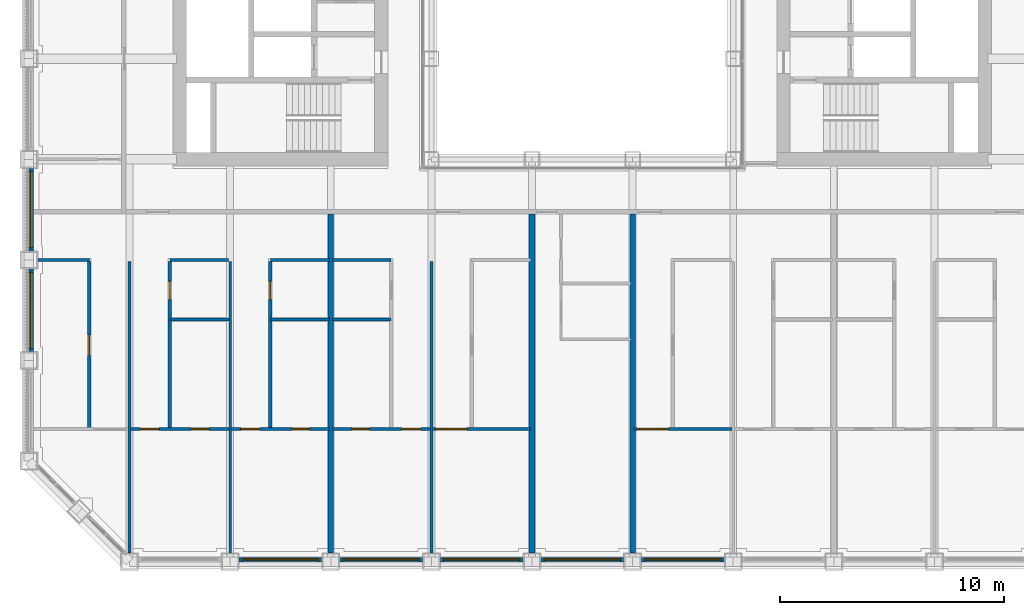
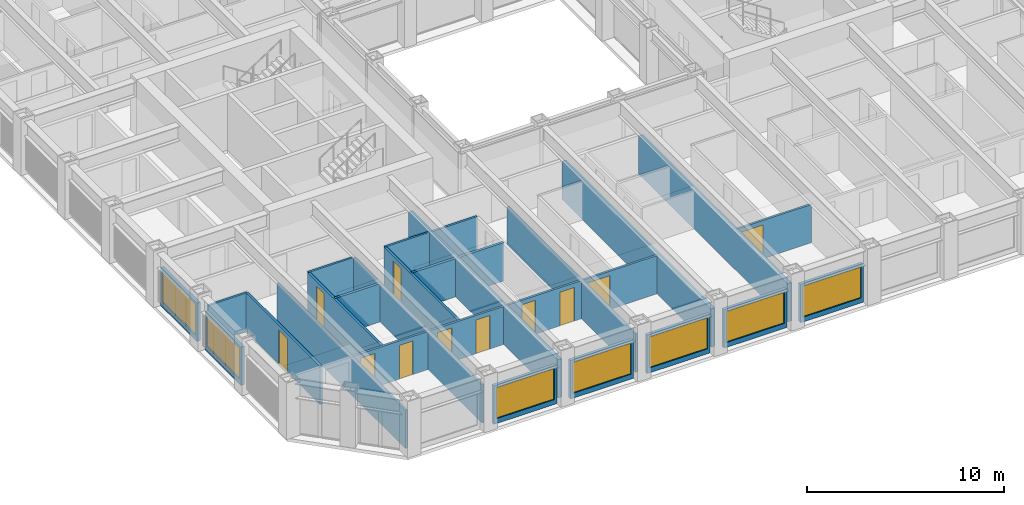
# One storey, part 9 of 21: 28 walls, 11 doors, 7 windows, 18 openings.
"""IFC4 building model written with IfcOpenShell, lengths in metres."""

from ifc_helpers import new_model, si_unit, direction, frame, frame_2d, origin, place, context, subcontext, project, spatial, rectangle, extrude, material, layer, layer_set, type_object, element, fill, save


model = new_model("IFC4")

# Units and contexts
model_context = context("Model", 3, precision=1e-05, world=origin(), true_north=direction((0.0, 1.0)))
body_context = subcontext(model_context, "Body", "Model", "MODEL_VIEW")
ifc_project = project(units=[si_unit("LENGTHUNIT", "METRE"), si_unit("AREAUNIT", "SQUARE_METRE"), si_unit("VOLUMEUNIT", "CUBIC_METRE"), si_unit("PLANEANGLEUNIT", "RADIAN"), si_unit("MASSUNIT", "GRAM", prefix="KILO")], contexts=[model_context])

# Site, building, storey
site_placement = place(None, origin())
site = spatial("IfcSite", under=ifc_project, at=site_placement, CompositionType="ELEMENT")
building_placement = place(site_placement, origin())
building = spatial("IfcBuilding", under=site, at=building_placement, Name="Msasa Ring Tower", CompositionType="ELEMENT")
storey_placement = place(building_placement, frame((0.0, 0.0, 72.0)))
storey = spatial("IfcBuildingStorey", under=building, at=storey_placement, Name="L18", CompositionType="ELEMENT", Elevation=72.0)

# Wall, opening, window
ifc_material_1 = material(Name="Terracotta rainscreen on blockwork", Category="masonry")
ifc_layer_1 = layer(ifc_material_1, 0.199951171875)
ifc_layer_set_1 = layer_set([ifc_layer_1], Name="FW1 TERRACOTTA-LINED INFILL BAY WALL 200")
wall_type_1 = type_object("IfcWallType", Name="FW1 TERRACOTTA-LINED INFILL BAY WALL 200", PredefinedType="SOLIDWALL", material=ifc_layer_set_1)
wall_1_placement = place(storey_placement, frame((-15.344970703125, -24.64990234375, 0.0), z_axis=(0.0, 0.0, 1.0), x_axis=(1.0, 0.0, 0.0)))
wall_1 = element("IfcWall", 1, at=wall_1_placement, inside=storey, type_object=wall_type_1, Name="Infill bay wall S L18 01", PredefinedType="SOLIDWALL", context=body_context, shape_type="SweptSolid", body=[
    extrude(rectangle(XDim=3.68994140625, YDim=0.199951171875, at=frame_2d((1.844970703125, 0.0))), origin(), (0.0, 0.0, 1.0), 2.37890625),
])
opening_1_placement = place(wall_1_placement, frame((0.14501953125, 0.0, 0.300048828125)))
opening_1 = element("IfcOpeningElement", 2, at=opening_1_placement, cuts=wall_1, Name="Opening WN1", PredefinedType="OPENING", context=body_context, shape_type="SweptSolid", body=[
    extrude(rectangle(XDim=3.39990234375, YDim=1.928955078125, at=frame_2d((1.699951171875, 0.96435546875))), frame((0.0, 0.10986328125, 0.0), z_axis=(0.0, -1.0, 0.0), x_axis=(1.0, 0.0, 0.0)), (0.0, 0.0, 1.0), 0.219970703125),
])
ifc_material_2 = material(Name="Aluminium frame with clear glass", Category="aluminium")
window_type = type_object("IfcWindowType", Name="WN1 RESIDENCE WINDOW 3400x1929", PartitioningType="SINGLE_PANEL", PredefinedType="WINDOW", material=ifc_material_2)
window_1_placement = place(opening_1_placement, origin())
window_1 = element("IfcWindow", 3, at=window_1_placement, inside=storey, type_object=window_type, Name="Window S L18 01", OverallHeight=1.928955078125, OverallWidth=3.39990234375, PartitioningType="SINGLE_PANEL", PredefinedType="WINDOW", context=body_context, shape_type="SweptSolid", body=[
    extrude(rectangle(XDim=3.39990234375, YDim=1.928955078125, at=frame_2d((1.699951171875, 0.96435546875))), frame((0.0, 0.030029296875, 0.0), z_axis=(0.0, -1.0, 0.0), x_axis=(1.0, 0.0, 0.0)), (0.0, 0.0, 1.0), 0.06005859375),
])
fill(opening_1, window_1)

wall_2_placement = place(storey_placement, frame((-10.844970703125, -24.64990234375, 0.0), z_axis=(0.0, 0.0, 1.0), x_axis=(1.0, 0.0, 0.0)))
wall_2 = element("IfcWall", 4, at=wall_2_placement, inside=storey, type_object=wall_type_1, Name="Infill bay wall S L18 02", PredefinedType="SOLIDWALL", context=body_context, shape_type="SweptSolid", body=[
    extrude(rectangle(XDim=3.68994140625, YDim=0.199951171875, at=frame_2d((1.844970703125, 0.0))), origin(), (0.0, 0.0, 1.0), 2.37890625),
])
opening_2_placement = place(wall_2_placement, frame((0.14501953125, 0.0, 0.300048828125)))
opening_2 = element("IfcOpeningElement", 5, at=opening_2_placement, cuts=wall_2, Name="Opening WN1", PredefinedType="OPENING", context=body_context, shape_type="SweptSolid", body=[
    extrude(rectangle(XDim=3.39990234375, YDim=1.928955078125, at=frame_2d((1.699951171875, 0.96435546875))), frame((0.0, 0.10986328125, 0.0), z_axis=(0.0, -1.0, 0.0), x_axis=(1.0, 0.0, 0.0)), (0.0, 0.0, 1.0), 0.219970703125),
])
window_2_placement = place(opening_2_placement, origin())
window_2 = element("IfcWindow", 6, at=window_2_placement, inside=storey, type_object=window_type, Name="Window S L18 02", OverallHeight=1.928955078125, OverallWidth=3.39990234375, PartitioningType="SINGLE_PANEL", PredefinedType="WINDOW", context=body_context, shape_type="SweptSolid", body=[
    extrude(rectangle(XDim=3.39990234375, YDim=1.928955078125, at=frame_2d((1.699951171875, 0.96435546875))), frame((0.0, 0.030029296875, 0.0), z_axis=(0.0, -1.0, 0.0), x_axis=(1.0, 0.0, 0.0)), (0.0, 0.0, 1.0), 0.06005859375),
])
fill(opening_2, window_2)

wall_3_placement = place(storey_placement, frame((-6.344970703125, -24.64990234375, 0.0), z_axis=(0.0, 0.0, 1.0), x_axis=(1.0, 0.0, 0.0)))
wall_3 = element("IfcWall", 7, at=wall_3_placement, inside=storey, type_object=wall_type_1, Name="Infill bay wall S L18 03", PredefinedType="SOLIDWALL", context=body_context, shape_type="SweptSolid", body=[
    extrude(rectangle(XDim=3.68994140625, YDim=0.199951171875, at=frame_2d((1.844970703125, 0.0))), origin(), (0.0, 0.0, 1.0), 2.37890625),
])
opening_3_placement = place(wall_3_placement, frame((0.14501953125, 0.0, 0.300048828125)))
opening_3 = element("IfcOpeningElement", 8, at=opening_3_placement, cuts=wall_3, Name="Opening WN1", PredefinedType="OPENING", context=body_context, shape_type="SweptSolid", body=[
    extrude(rectangle(XDim=3.39990234375, YDim=1.928955078125, at=frame_2d((1.699951171875, 0.96435546875))), frame((0.0, 0.10986328125, 0.0), z_axis=(0.0, -1.0, 0.0), x_axis=(1.0, 0.0, 0.0)), (0.0, 0.0, 1.0), 0.219970703125),
])
window_3_placement = place(opening_3_placement, origin())
window_3 = element("IfcWindow", 9, at=window_3_placement, inside=storey, type_object=window_type, Name="Window S L18 03", OverallHeight=1.928955078125, OverallWidth=3.39990234375, PartitioningType="SINGLE_PANEL", PredefinedType="WINDOW", context=body_context, shape_type="SweptSolid", body=[
    extrude(rectangle(XDim=3.39990234375, YDim=1.928955078125, at=frame_2d((1.699951171875, 0.96435546875))), frame((0.0, 0.030029296875, 0.0), z_axis=(0.0, -1.0, 0.0), x_axis=(1.0, 0.0, 0.0)), (0.0, 0.0, 1.0), 0.06005859375),
])
fill(opening_3, window_3)

wall_4_placement = place(storey_placement, frame((-1.844970703125, -24.64990234375, 0.0), z_axis=(0.0, 0.0, 1.0), x_axis=(1.0, 0.0, 0.0)))
wall_4 = element("IfcWall", 10, at=wall_4_placement, inside=storey, type_object=wall_type_1, Name="Infill bay wall S L18 04", PredefinedType="SOLIDWALL", context=body_context, shape_type="SweptSolid", body=[
    extrude(rectangle(XDim=3.68994140625, YDim=0.199951171875, at=frame_2d((1.844970703125, 0.0))), origin(), (0.0, 0.0, 1.0), 2.37890625),
])
opening_4_placement = place(wall_4_placement, frame((0.14501953125, 0.0, 0.300048828125)))
opening_4 = element("IfcOpeningElement", 11, at=opening_4_placement, cuts=wall_4, Name="Opening WN1", PredefinedType="OPENING", context=body_context, shape_type="SweptSolid", body=[
    extrude(rectangle(XDim=3.39990234375, YDim=1.928955078125, at=frame_2d((1.699951171875, 0.96435546875))), frame((0.0, 0.10986328125, 0.0), z_axis=(0.0, -1.0, 0.0), x_axis=(1.0, 0.0, 0.0)), (0.0, 0.0, 1.0), 0.219970703125),
])
window_4_placement = place(opening_4_placement, origin())
window_4 = element("IfcWindow", 12, at=window_4_placement, inside=storey, type_object=window_type, Name="Window S L18 04", OverallHeight=1.928955078125, OverallWidth=3.39990234375, PartitioningType="SINGLE_PANEL", PredefinedType="WINDOW", context=body_context, shape_type="SweptSolid", body=[
    extrude(rectangle(XDim=3.39990234375, YDim=1.928955078125, at=frame_2d((1.699951171875, 0.96435546875))), frame((0.0, 0.030029296875, 0.0), z_axis=(0.0, -1.0, 0.0), x_axis=(1.0, 0.0, 0.0)), (0.0, 0.0, 1.0), 0.06005859375),
])
fill(opening_4, window_4)

wall_5_placement = place(storey_placement, frame((2.655029296875, -24.64990234375, 0.0), z_axis=(0.0, 0.0, 1.0), x_axis=(1.0, 0.0, 0.0)))
wall_5 = element("IfcWall", 13, at=wall_5_placement, inside=storey, type_object=wall_type_1, Name="Infill bay wall S L18 05", PredefinedType="SOLIDWALL", context=body_context, shape_type="SweptSolid", body=[
    extrude(rectangle(XDim=3.68994140625, YDim=0.199951171875, at=frame_2d((1.844970703125, 0.0))), origin(), (0.0, 0.0, 1.0), 2.37890625),
])
opening_5_placement = place(wall_5_placement, frame((0.14501953125, 0.0, 0.300048828125)))
opening_5 = element("IfcOpeningElement", 14, at=opening_5_placement, cuts=wall_5, Name="Opening WN1", PredefinedType="OPENING", context=body_context, shape_type="SweptSolid", body=[
    extrude(rectangle(XDim=3.39990234375, YDim=1.928955078125, at=frame_2d((1.699951171875, 0.96435546875))), frame((0.0, 0.10986328125, 0.0), z_axis=(0.0, -1.0, 0.0), x_axis=(1.0, 0.0, 0.0)), (0.0, 0.0, 1.0), 0.219970703125),
])
window_5_placement = place(opening_5_placement, origin())
window_5 = element("IfcWindow", 15, at=window_5_placement, inside=storey, type_object=window_type, Name="Window S L18 05", OverallHeight=1.928955078125, OverallWidth=3.39990234375, PartitioningType="SINGLE_PANEL", PredefinedType="WINDOW", context=body_context, shape_type="SweptSolid", body=[
    extrude(rectangle(XDim=3.39990234375, YDim=1.928955078125, at=frame_2d((1.699951171875, 0.96435546875))), frame((0.0, 0.030029296875, 0.0), z_axis=(0.0, -1.0, 0.0), x_axis=(1.0, 0.0, 0.0)), (0.0, 0.0, 1.0), 0.06005859375),
])
fill(opening_5, window_5)

wall_6_placement = place(storey_placement, frame((-24.64990234375, -15.344970703125, 0.0), z_axis=(0.0, 0.0, 1.0), x_axis=(0.0, 1.0, 0.0)))
wall_6 = element("IfcWall", 16, at=wall_6_placement, inside=storey, type_object=wall_type_1, Name="Infill bay wall W L18 34", PredefinedType="SOLIDWALL", context=body_context, shape_type="SweptSolid", body=[
    extrude(rectangle(XDim=3.68994140625, YDim=0.199951171875, at=frame_2d((1.844970703125, 0.0))), origin(), (0.0, 0.0, 1.0), 2.37890625),
])
opening_6_placement = place(wall_6_placement, frame((0.14501953125, 0.0, 0.300048828125)))
opening_6 = element("IfcOpeningElement", 17, at=opening_6_placement, cuts=wall_6, Name="Opening WN1", PredefinedType="OPENING", context=body_context, shape_type="SweptSolid", body=[
    extrude(rectangle(XDim=3.39990234375, YDim=1.928955078125, at=frame_2d((1.699951171875, 0.96435546875))), frame((0.0, 0.10986328125, 0.0), z_axis=(0.0, -1.0, 0.0), x_axis=(1.0, 0.0, 0.0)), (0.0, 0.0, 1.0), 0.219970703125),
])
window_6_placement = place(opening_6_placement, origin())
window_6 = element("IfcWindow", 18, at=window_6_placement, inside=storey, type_object=window_type, Name="Window W L18 34", OverallHeight=1.928955078125, OverallWidth=3.39990234375, PartitioningType="SINGLE_PANEL", PredefinedType="WINDOW", context=body_context, shape_type="SweptSolid", body=[
    extrude(rectangle(XDim=3.39990234375, YDim=1.928955078125, at=frame_2d((1.699951171875, 0.96435546875))), frame((0.0, 0.030029296875, 0.0), z_axis=(0.0, -1.0, 0.0), x_axis=(1.0, 0.0, 0.0)), (0.0, 0.0, 1.0), 0.06005859375),
])
fill(opening_6, window_6)

wall_7_placement = place(storey_placement, frame((-24.64990234375, -10.844970703125, 0.0), z_axis=(0.0, 0.0, 1.0), x_axis=(0.0, 1.0, 0.0)))
wall_7 = element("IfcWall", 19, at=wall_7_placement, inside=storey, type_object=wall_type_1, Name="Infill bay wall W L18 35", PredefinedType="SOLIDWALL", context=body_context, shape_type="SweptSolid", body=[
    extrude(rectangle(XDim=3.68994140625, YDim=0.199951171875, at=frame_2d((1.844970703125, 0.0))), origin(), (0.0, 0.0, 1.0), 2.37890625),
])
opening_7_placement = place(wall_7_placement, frame((0.14501953125, 0.0, 0.300048828125)))
opening_7 = element("IfcOpeningElement", 20, at=opening_7_placement, cuts=wall_7, Name="Opening WN1", PredefinedType="OPENING", context=body_context, shape_type="SweptSolid", body=[
    extrude(rectangle(XDim=3.39990234375, YDim=1.928955078125, at=frame_2d((1.699951171875, 0.96435546875))), frame((0.0, 0.10986328125, 0.0), z_axis=(0.0, -1.0, 0.0), x_axis=(1.0, 0.0, 0.0)), (0.0, 0.0, 1.0), 0.219970703125),
])
window_7_placement = place(opening_7_placement, origin())
window_7 = element("IfcWindow", 21, at=window_7_placement, inside=storey, type_object=window_type, Name="Window W L18 35", OverallHeight=1.928955078125, OverallWidth=3.39990234375, PartitioningType="SINGLE_PANEL", PredefinedType="WINDOW", context=body_context, shape_type="SweptSolid", body=[
    extrude(rectangle(XDim=3.39990234375, YDim=1.928955078125, at=frame_2d((1.699951171875, 0.96435546875))), frame((0.0, 0.030029296875, 0.0), z_axis=(0.0, -1.0, 0.0), x_axis=(1.0, 0.0, 0.0)), (0.0, 0.0, 1.0), 0.06005859375),
])
fill(opening_7, window_7)

# Walls
ifc_material_3 = material(Name="Dense concrete blockwork, plastered both faces", Category="masonry")
ifc_layer_2 = layer(ifc_material_3, 0.25)
ifc_layer_set_2 = layer_set([ifc_layer_2], Name="PT3 APARTMENT SEPARATING WALL 250")
wall_type_2 = type_object("IfcWallType", Name="PT3 APARTMENT SEPARATING WALL 250", PredefinedType="PARTITIONING", material=ifc_layer_set_2)
for number, where, z_axis, x_axis, name in (
    (22, (-11.25, -24.35009765625, 0.0), (0.0, 0.0, 1.0), (0.0, 1.0, 0.0), "Party wall L18-PWS-11.25"),
    (23, (-2.25, -24.35009765625, 0.0), (0.0, 0.0, 1.0), (0.0, 1.0, 0.0), "Party wall L18-PWS-2.25"),
    (24, (2.25, -24.35009765625, 0.0), (0.0, 0.0, 1.0), (0.0, 1.0, 0.0), "Party wall L18-PWS+2.25"),
):
    element("IfcWall", number, at=place(storey_placement, frame(where, z_axis=z_axis, x_axis=x_axis)), inside=storey, type_object=wall_type_2, Name=name, PredefinedType="PARTITIONING", context=body_context, shape_type="SweptSolid", body=[
        extrude(rectangle(XDim=15.150146484375, YDim=0.25, at=frame_2d((7.5751953125, 0.0))), origin(), (0.0, 0.0, 1.0), 2.373291015625),
    ])

# Wall, opening, door
ifc_material_4 = material(Name="Moisture-resistant board on steel studs with a concealed cistern and pipe void, tiled", Category="steel")
ifc_layer_3 = layer(ifc_material_4, 0.14990234375)
ifc_layer_set_3 = layer_set([ifc_layer_3], Name="PT4 BATHROOM WET WALL 150")
wall_type_3 = type_object("IfcWallType", Name="PT4 BATHROOM WET WALL 150", PredefinedType="PARTITIONING", material=ifc_layer_set_3)
wall_8_placement = place(storey_placement, frame((-22.050048828125, -18.8125, 0.0), z_axis=(0.0, 0.0, 1.0), x_axis=(0.0, 1.0, 0.0)))
wall_8 = element("IfcWall", 25, at=wall_8_placement, inside=storey, type_object=wall_type_3, Name="Partition L18-US00SX0", PredefinedType="PARTITIONING", context=body_context, shape_type="SweptSolid", body=[
    extrude(rectangle(XDim=7.5, YDim=0.14990234375, at=frame_2d((3.75, 0.0))), origin(), (0.0, 0.0, 1.0), 2.373291015625),
])
opening_8_placement = place(wall_8_placement, frame((3.300048828125, 0.0, 0.0)))
opening_8 = element("IfcOpeningElement", 26, at=opening_8_placement, cuts=wall_8, Name="Opening RE-069", PredefinedType="OPENING", context=body_context, shape_type="SweptSolid", body=[
    extrude(rectangle(XDim=0.89990234375, YDim=2.10009765625, at=frame_2d((0.449951171875, 1.050048828125))), frame((0.0, 0.0849609375, 0.0), z_axis=(0.0, -1.0, 0.0), x_axis=(1.0, 0.0, 0.0)), (0.0, 0.0, 1.0), 0.169921875),
])
ifc_material_5 = material(Name="Timber door leaf in a steel frame", Category="steel")
door_type_1 = type_object("IfcDoorType", Name="D22 INTERNAL HALL DOOR 900x2100", OperationType="SINGLE_SWING_LEFT", PredefinedType="DOOR", material=ifc_material_5)
door_1_placement = place(opening_8_placement, origin())
door_1 = element("IfcDoor", 27, at=door_1_placement, inside=storey, type_object=door_type_1, Name="Door L18-US00K", OperationType="SINGLE_SWING_LEFT", OverallHeight=2.10009765625, OverallWidth=0.89990234375, PredefinedType="DOOR", context=body_context, shape_type="SweptSolid", body=[
    extrude(rectangle(XDim=0.89990234375, YDim=2.10009765625, at=frame_2d((0.449951171875, 1.050048828125))), frame((0.0, 0.02490234375, 0.0), z_axis=(0.0, -1.0, 0.0), x_axis=(1.0, 0.0, 0.0)), (0.0, 0.0, 1.0), 0.050048828125),
])
fill(opening_8, door_1)

wall_9_placement = place(storey_placement, frame((-18.449951171875, -18.8125, 0.0), z_axis=(0.0, 0.0, 1.0), x_axis=(0.0, 1.0, 0.0)))
wall_9 = element("IfcWall", 28, at=wall_9_placement, inside=storey, type_object=wall_type_3, Name="Partition L18-US00SX1", PredefinedType="PARTITIONING", context=body_context, shape_type="SweptSolid", body=[
    extrude(rectangle(XDim=7.5, YDim=0.14990234375, at=frame_2d((3.75, 0.0))), origin(), (0.0, 0.0, 1.0), 2.373291015625),
])
opening_9_placement = place(wall_9_placement, frame((5.800048828125, 0.0, 0.0)))
opening_9 = element("IfcOpeningElement", 29, at=opening_9_placement, cuts=wall_9, Name="Opening RE-062", PredefinedType="OPENING", context=body_context, shape_type="SweptSolid", body=[
    extrude(rectangle(XDim=0.800048828125, YDim=2.10009765625, at=frame_2d((0.39990234375, 1.050048828125))), frame((0.0, 0.0849609375, 0.0), z_axis=(0.0, -1.0, 0.0), x_axis=(1.0, 0.0, 0.0)), (0.0, 0.0, 1.0), 0.169921875),
])
ifc_material_6 = material(Name="Timber door leaf in a steel frame", Category="steel")
door_type_2 = type_object("IfcDoorType", Name="D21 POCKET SLIDING BATHROOM DOOR 800x2100", OperationType="SINGLE_SWING_LEFT", PredefinedType="DOOR", material=ifc_material_6)
door_2_placement = place(opening_9_placement, origin())
door_2 = element("IfcDoor", 30, at=door_2_placement, inside=storey, type_object=door_type_2, Name="Door L18-US00B1", OperationType="SINGLE_SWING_RIGHT", OverallHeight=2.10009765625, OverallWidth=0.800048828125, PredefinedType="DOOR", context=body_context, shape_type="SweptSolid", body=[
    extrude(rectangle(XDim=0.800048828125, YDim=2.10009765625, at=frame_2d((0.39990234375, 1.050048828125))), frame((0.0, 0.02490234375, 0.0), z_axis=(0.0, -1.0, 0.0), x_axis=(1.0, 0.0, 0.0)), (0.0, 0.0, 1.0), 0.050048828125),
])
fill(opening_9, door_2)

# Wall
wall_10_placement = place(storey_placement, frame((-18.449951171875, -13.91259765625, 0.0), z_axis=(0.0, 0.0, 1.0), x_axis=(1.0, 0.0, 0.0)))
element("IfcWall", 31, at=wall_10_placement, inside=storey, type_object=wall_type_3, Name="Partition L18-US00SB1", PredefinedType="PARTITIONING", context=body_context, shape_type="SweptSolid", body=[
    extrude(rectangle(XDim=2.637451171875, YDim=0.14990234375, at=frame_2d((1.31884765625, 0.0))), origin(), (0.0, 0.0, 1.0), 2.373291015625),
])

# Wall, opening, door
wall_11_placement = place(storey_placement, frame((-13.949951171875, -18.8125, 0.0), z_axis=(0.0, 0.0, 1.0), x_axis=(0.0, 1.0, 0.0)))
wall_11 = element("IfcWall", 32, at=wall_11_placement, inside=storey, type_object=wall_type_3, Name="Partition L18-US00SX2", PredefinedType="PARTITIONING", context=body_context, shape_type="SweptSolid", body=[
    extrude(rectangle(XDim=7.5, YDim=0.14990234375, at=frame_2d((3.75, 0.0))), origin(), (0.0, 0.0, 1.0), 2.373291015625),
])
opening_10_placement = place(wall_11_placement, frame((5.800048828125, 0.0, 0.0)))
opening_10 = element("IfcOpeningElement", 33, at=opening_10_placement, cuts=wall_11, Name="Opening RE-063", PredefinedType="OPENING", context=body_context, shape_type="SweptSolid", body=[
    extrude(rectangle(XDim=0.800048828125, YDim=2.10009765625, at=frame_2d((0.39990234375, 1.050048828125))), frame((0.0, 0.0849609375, 0.0), z_axis=(0.0, -1.0, 0.0), x_axis=(1.0, 0.0, 0.0)), (0.0, 0.0, 1.0), 0.169921875),
])
door_3_placement = place(opening_10_placement, origin())
door_3 = element("IfcDoor", 34, at=door_3_placement, inside=storey, type_object=door_type_2, Name="Door L18-US00B2", OperationType="SINGLE_SWING_RIGHT", OverallHeight=2.10009765625, OverallWidth=0.800048828125, PredefinedType="DOOR", context=body_context, shape_type="SweptSolid", body=[
    extrude(rectangle(XDim=0.800048828125, YDim=2.10009765625, at=frame_2d((0.39990234375, 1.050048828125))), frame((0.0, 0.02490234375, 0.0), z_axis=(0.0, -1.0, 0.0), x_axis=(1.0, 0.0, 0.0)), (0.0, 0.0, 1.0), 0.050048828125),
])
fill(opening_10, door_3)

# Walls
for number, where, z_axis, x_axis, name in (
    (35, (-13.949951171875, -13.91259765625, 0.0), (0.0, 0.0, 1.0), (1.0, 0.0, 0.0), "Partition L18-US00SB2"),
    (36, (-11.1826171875, -13.91259765625, 0.0), (0.0, 0.0, 1.0), (1.0, 0.0, 0.0), "Partition L18-US01SB1"),
):
    element("IfcWall", number, at=place(storey_placement, frame(where, z_axis=z_axis, x_axis=x_axis)), inside=storey, type_object=wall_type_3, Name=name, PredefinedType="PARTITIONING", context=body_context, shape_type="SweptSolid", body=[
        extrude(rectangle(XDim=2.632568359375, YDim=0.14990234375, at=frame_2d((1.31640625, 0.0))), origin(), (0.0, 0.0, 1.0), 2.373291015625),
    ])
ifc_material_7 = material(Name="Two layers of acoustic board each face on steel studs, mineral wool", Category="steel")
ifc_layer_4 = layer(ifc_material_7, 0.125)
ifc_layer_set_4 = layer_set([ifc_layer_4], Name="PT6 ACOUSTIC DOUBLE-BOARD PARTITION 125")
wall_type_4 = type_object("IfcWallType", Name="PT6 ACOUSTIC DOUBLE-BOARD PARTITION 125", PredefinedType="PARTITIONING", material=ifc_layer_set_4)
wall_12_placement = place(storey_placement, frame((-24.35009765625, -11.25, 0.0), z_axis=(0.0, 0.0, 1.0), x_axis=(1.0, 0.0, 0.0)))
element("IfcWall", 37, at=wall_12_placement, inside=storey, type_object=wall_type_4, Name="Partition L18-US00HY0", PredefinedType="PARTITIONING", context=body_context, shape_type="SweptSolid", body=[
    extrude(rectangle(XDim=2.300048828125, YDim=0.125, at=frame_2d((1.14990234375, 0.0))), origin(), (0.0, 0.0, 1.0), 2.373291015625),
])
wall_13_placement = place(storey_placement, frame((-20.25, -24.35009765625, 0.0), z_axis=(0.0, 0.0, 1.0), x_axis=(0.0, 1.0, 0.0)))
element("IfcWall", 38, at=wall_13_placement, inside=storey, type_object=wall_type_4, Name="Partition L18-US00P1", PredefinedType="PARTITIONING", context=body_context, shape_type="SweptSolid", body=[
    extrude(rectangle(XDim=13.03759765625, YDim=0.125, at=frame_2d((6.518798828125, 0.0))), origin(), (0.0, 0.0, 1.0), 2.373291015625),
])
wall_14_placement = place(storey_placement, frame((-18.449951171875, -11.25, 0.0), z_axis=(0.0, 0.0, 1.0), x_axis=(1.0, 0.0, 0.0)))
element("IfcWall", 39, at=wall_14_placement, inside=storey, type_object=wall_type_4, Name="Partition L18-US00HY1", PredefinedType="PARTITIONING", context=body_context, shape_type="SweptSolid", body=[
    extrude(rectangle(XDim=2.632568359375, YDim=0.125, at=frame_2d((1.31640625, 0.0))), origin(), (0.0, 0.0, 1.0), 2.373291015625),
])

# Wall, openings, doors
wall_15_placement = place(storey_placement, frame((-20.1875, -18.8125, 0.0), z_axis=(0.0, 0.0, 1.0), x_axis=(1.0, 0.0, 0.0)))
wall_15 = element("IfcWall", 40, at=wall_15_placement, inside=storey, type_object=wall_type_4, Name="Partition L18-US00SY1", PredefinedType="PARTITIONING", context=body_context, shape_type="SweptSolid", body=[
    extrude(rectangle(XDim=4.375, YDim=0.125, at=frame_2d((2.1875, 0.0))), origin(), (0.0, 0.0, 1.0), 2.373291015625),
])
opening_11_placement = place(wall_15_placement, frame((0.41259765625, 0.0, 0.0)))
opening_11 = element("IfcOpeningElement", 41, at=opening_11_placement, cuts=wall_15, Name="Opening RE-074", PredefinedType="OPENING", context=body_context, shape_type="SweptSolid", body=[
    extrude(rectangle(XDim=0.85009765625, YDim=2.10009765625, at=frame_2d((0.425048828125, 1.050048828125))), frame((0.0, 0.072509765625, 0.0), z_axis=(0.0, -1.0, 0.0), x_axis=(1.0, 0.0, 0.0)), (0.0, 0.0, 1.0), 0.14501953125),
])
opening_12_placement = place(wall_15_placement, frame((2.693603515625, 0.0, 0.0)))
opening_12 = element("IfcOpeningElement", 42, at=opening_12_placement, cuts=wall_15, Name="Opening RE-075", PredefinedType="OPENING", context=body_context, shape_type="SweptSolid", body=[
    extrude(rectangle(XDim=0.800048828125, YDim=2.10009765625, at=frame_2d((0.39990234375, 1.050048828125))), frame((0.0, 0.072509765625, 0.0), z_axis=(0.0, -1.0, 0.0), x_axis=(1.0, 0.0, 0.0)), (0.0, 0.0, 1.0), 0.14501953125),
])
ifc_material_8 = material(Name="Timber door leaf in a steel frame", Category="steel")
door_type_3 = type_object("IfcDoorType", Name="D14 BEDROOM DOOR 850x2100", OperationType="SINGLE_SWING_LEFT", PredefinedType="DOOR", material=ifc_material_8)
door_4_placement = place(opening_11_placement, origin())
door_4 = element("IfcDoor", 43, at=door_4_placement, inside=storey, type_object=door_type_3, Name="Door L18-US00R1", OperationType="SINGLE_SWING_LEFT", OverallHeight=2.10009765625, OverallWidth=0.85009765625, PredefinedType="DOOR", context=body_context, shape_type="SweptSolid", body=[
    extrude(rectangle(XDim=0.85009765625, YDim=2.10009765625, at=frame_2d((0.425048828125, 1.050048828125))), frame((0.0, 0.02490234375, 0.0), z_axis=(0.0, -1.0, 0.0), x_axis=(1.0, 0.0, 0.0)), (0.0, 0.0, 1.0), 0.050048828125),
])
fill(opening_11, door_4)
ifc_material_9 = material(Name="Timber door leaf in a steel frame", Category="steel")
door_type_4 = type_object("IfcDoorType", Name="D60 DRESSING ROOM DOOR 800x2100", OperationType="SINGLE_SWING_LEFT", PredefinedType="DOOR", material=ifc_material_9)
door_5_placement = place(opening_12_placement, origin())
door_5 = element("IfcDoor", 44, at=door_5_placement, inside=storey, type_object=door_type_4, Name="Door L18-US00W1", OperationType="SINGLE_SWING_RIGHT", OverallHeight=2.10009765625, OverallWidth=0.800048828125, PredefinedType="DOOR", context=body_context, shape_type="SweptSolid", body=[
    extrude(rectangle(XDim=0.800048828125, YDim=2.10009765625, at=frame_2d((0.39990234375, 1.050048828125))), frame((0.0, 0.02490234375, 0.0), z_axis=(0.0, -1.0, 0.0), x_axis=(1.0, 0.0, 0.0)), (0.0, 0.0, 1.0), 0.050048828125),
])
fill(opening_12, door_5)

# Walls
wall_16_placement = place(storey_placement, frame((-15.75, -24.35009765625, 0.0), z_axis=(0.0, 0.0, 1.0), x_axis=(0.0, 1.0, 0.0)))
element("IfcWall", 45, at=wall_16_placement, inside=storey, type_object=wall_type_4, Name="Partition L18-US00P2", PredefinedType="PARTITIONING", context=body_context, shape_type="SweptSolid", body=[
    extrude(rectangle(XDim=13.03759765625, YDim=0.125, at=frame_2d((6.518798828125, 0.0))), origin(), (0.0, 0.0, 1.0), 2.373291015625),
])
wall_17_placement = place(storey_placement, frame((-13.949951171875, -11.25, 0.0), z_axis=(0.0, 0.0, 1.0), x_axis=(1.0, 0.0, 0.0)))
element("IfcWall", 46, at=wall_17_placement, inside=storey, type_object=wall_type_4, Name="Partition L18-US00HY2", PredefinedType="PARTITIONING", context=body_context, shape_type="SweptSolid", body=[
    extrude(rectangle(XDim=2.632568359375, YDim=0.125, at=frame_2d((1.31640625, 0.0))), origin(), (0.0, 0.0, 1.0), 2.373291015625),
])

# Wall, openings, doors
wall_18_placement = place(storey_placement, frame((-15.6875, -18.8125, 0.0), z_axis=(0.0, 0.0, 1.0), x_axis=(1.0, 0.0, 0.0)))
wall_18 = element("IfcWall", 47, at=wall_18_placement, inside=storey, type_object=wall_type_4, Name="Partition L18-US00SY2", PredefinedType="PARTITIONING", context=body_context, shape_type="SweptSolid", body=[
    extrude(rectangle(XDim=4.3701171875, YDim=0.125, at=frame_2d((2.18505859375, 0.0))), origin(), (0.0, 0.0, 1.0), 2.373291015625),
])
opening_13_placement = place(wall_18_placement, frame((0.41259765625, 0.0, 0.0)))
opening_13 = element("IfcOpeningElement", 48, at=opening_13_placement, cuts=wall_18, Name="Opening RE-076", PredefinedType="OPENING", context=body_context, shape_type="SweptSolid", body=[
    extrude(rectangle(XDim=0.85009765625, YDim=2.10009765625, at=frame_2d((0.425048828125, 1.050048828125))), frame((0.0, 0.072509765625, 0.0), z_axis=(0.0, -1.0, 0.0), x_axis=(1.0, 0.0, 0.0)), (0.0, 0.0, 1.0), 0.14501953125),
])
opening_14_placement = place(wall_18_placement, frame((2.693603515625, 0.0, 0.0)))
opening_14 = element("IfcOpeningElement", 49, at=opening_14_placement, cuts=wall_18, Name="Opening RE-077", PredefinedType="OPENING", context=body_context, shape_type="SweptSolid", body=[
    extrude(rectangle(XDim=0.800048828125, YDim=2.10009765625, at=frame_2d((0.39990234375, 1.050048828125))), frame((0.0, 0.072509765625, 0.0), z_axis=(0.0, -1.0, 0.0), x_axis=(1.0, 0.0, 0.0)), (0.0, 0.0, 1.0), 0.14501953125),
])
door_6_placement = place(opening_13_placement, origin())
door_6 = element("IfcDoor", 50, at=door_6_placement, inside=storey, type_object=door_type_3, Name="Door L18-US00R2", OperationType="SINGLE_SWING_LEFT", OverallHeight=2.10009765625, OverallWidth=0.85009765625, PredefinedType="DOOR", context=body_context, shape_type="SweptSolid", body=[
    extrude(rectangle(XDim=0.85009765625, YDim=2.10009765625, at=frame_2d((0.425048828125, 1.050048828125))), frame((0.0, 0.02490234375, 0.0), z_axis=(0.0, -1.0, 0.0), x_axis=(1.0, 0.0, 0.0)), (0.0, 0.0, 1.0), 0.050048828125),
])
fill(opening_13, door_6)
door_7_placement = place(opening_14_placement, origin())
door_7 = element("IfcDoor", 51, at=door_7_placement, inside=storey, type_object=door_type_4, Name="Door L18-US00W2", OperationType="SINGLE_SWING_RIGHT", OverallHeight=2.10009765625, OverallWidth=0.800048828125, PredefinedType="DOOR", context=body_context, shape_type="SweptSolid", body=[
    extrude(rectangle(XDim=0.800048828125, YDim=2.10009765625, at=frame_2d((0.39990234375, 1.050048828125))), frame((0.0, 0.02490234375, 0.0), z_axis=(0.0, -1.0, 0.0), x_axis=(1.0, 0.0, 0.0)), (0.0, 0.0, 1.0), 0.050048828125),
])
fill(opening_14, door_7)

# Wall, opening, door
wall_19_placement = place(storey_placement, frame((-6.6875, -18.8125, 0.0), z_axis=(0.0, 0.0, 1.0), x_axis=(1.0, 0.0, 0.0)))
wall_19 = element("IfcWall", 52, at=wall_19_placement, inside=storey, type_object=wall_type_4, Name="Partition L18-US01SY0", PredefinedType="PARTITIONING", context=body_context, shape_type="SweptSolid", body=[
    extrude(rectangle(XDim=4.3701171875, YDim=0.125, at=frame_2d((2.18505859375, 0.0))), origin(), (0.0, 0.0, 1.0), 2.373291015625),
])
opening_15_placement = place(wall_19_placement, frame((0.137451171875, 0.0, 0.0)))
opening_15 = element("IfcOpeningElement", 53, at=opening_15_placement, cuts=wall_19, Name="Opening RE-080", PredefinedType="OPENING", context=body_context, shape_type="SweptSolid", body=[
    extrude(rectangle(XDim=1.39990234375, YDim=2.10009765625, at=frame_2d((0.699951171875, 1.050048828125))), frame((0.0, 0.072509765625, 0.0), z_axis=(0.0, -1.0, 0.0), x_axis=(1.0, 0.0, 0.0)), (0.0, 0.0, 1.0), 0.14501953125),
])
ifc_material_10 = material(Name="Timber door leaf in a steel frame", Category="steel")
door_type_5 = type_object("IfcDoorType", Name="D15 LIVING ROOM PAIR OF GLAZED DOORS 1400x2100", OperationType="SINGLE_SWING_LEFT", PredefinedType="DOOR", material=ifc_material_10)
door_8_placement = place(opening_15_placement, origin())
door_8 = element("IfcDoor", 54, at=door_8_placement, inside=storey, type_object=door_type_5, Name="Door L18-US01L", OperationType="SINGLE_SWING_LEFT", OverallHeight=2.10009765625, OverallWidth=1.39990234375, PredefinedType="DOOR", context=body_context, shape_type="SweptSolid", body=[
    extrude(rectangle(XDim=1.39990234375, YDim=2.10009765625, at=frame_2d((0.699951171875, 1.050048828125))), frame((0.0, 0.02490234375, 0.0), z_axis=(0.0, -1.0, 0.0), x_axis=(1.0, 0.0, 0.0)), (0.0, 0.0, 1.0), 0.050048828125),
])
fill(opening_15, door_8)

# Walls
wall_20_placement = place(storey_placement, frame((-6.75, -24.35009765625, 0.0), z_axis=(0.0, 0.0, 1.0), x_axis=(0.0, 1.0, 0.0)))
element("IfcWall", 55, at=wall_20_placement, inside=storey, type_object=wall_type_4, Name="Partition L18-US01P1", PredefinedType="PARTITIONING", context=body_context, shape_type="SweptSolid", body=[
    extrude(rectangle(XDim=13.03759765625, YDim=0.125, at=frame_2d((6.518798828125, 0.0))), origin(), (0.0, 0.0, 1.0), 2.373291015625),
])
wall_21_placement = place(storey_placement, frame((-11.1826171875, -11.25, 0.0), z_axis=(0.0, 0.0, 1.0), x_axis=(1.0, 0.0, 0.0)))
element("IfcWall", 56, at=wall_21_placement, inside=storey, type_object=wall_type_4, Name="Partition L18-US01HY1", PredefinedType="PARTITIONING", context=body_context, shape_type="SweptSolid", body=[
    extrude(rectangle(XDim=2.632568359375, YDim=0.125, at=frame_2d((1.31640625, 0.0))), origin(), (0.0, 0.0, 1.0), 2.373291015625),
])

# Wall, openings, doors
wall_22_placement = place(storey_placement, frame((-11.1826171875, -18.8125, 0.0), z_axis=(0.0, 0.0, 1.0), x_axis=(1.0, 0.0, 0.0)))
wall_22 = element("IfcWall", 57, at=wall_22_placement, inside=storey, type_object=wall_type_4, Name="Partition L18-US01SY1", PredefinedType="PARTITIONING", context=body_context, shape_type="SweptSolid", body=[
    extrude(rectangle(XDim=4.3701171875, YDim=0.125, at=frame_2d((2.18505859375, 0.0))), origin(), (0.0, 0.0, 1.0), 2.373291015625),
])
opening_16_placement = place(wall_22_placement, frame((3.107421875, 0.0, 0.0)))
opening_16 = element("IfcOpeningElement", 58, at=opening_16_placement, cuts=wall_22, Name="Opening RE-079", PredefinedType="OPENING", context=body_context, shape_type="SweptSolid", body=[
    extrude(rectangle(XDim=0.85009765625, YDim=2.10009765625, at=frame_2d((0.425048828125, 1.050048828125))), frame((0.0, 0.072509765625, 0.0), z_axis=(0.0, -1.0, 0.0), x_axis=(1.0, 0.0, 0.0)), (0.0, 0.0, 1.0), 0.14501953125),
])
opening_17_placement = place(wall_22_placement, frame((0.876220703125, 0.0, 0.0)))
opening_17 = element("IfcOpeningElement", 59, at=opening_17_placement, cuts=wall_22, Name="Opening RE-078", PredefinedType="OPENING", context=body_context, shape_type="SweptSolid", body=[
    extrude(rectangle(XDim=0.800048828125, YDim=2.10009765625, at=frame_2d((0.39990234375, 1.050048828125))), frame((0.0, 0.072509765625, 0.0), z_axis=(0.0, -1.0, 0.0), x_axis=(1.0, 0.0, 0.0)), (0.0, 0.0, 1.0), 0.14501953125),
])
door_9_placement = place(opening_16_placement, origin())
door_9 = element("IfcDoor", 60, at=door_9_placement, inside=storey, type_object=door_type_3, Name="Door L18-US01R1", OperationType="SINGLE_SWING_RIGHT", OverallHeight=2.10009765625, OverallWidth=0.85009765625, PredefinedType="DOOR", context=body_context, shape_type="SweptSolid", body=[
    extrude(rectangle(XDim=0.85009765625, YDim=2.10009765625, at=frame_2d((0.425048828125, 1.050048828125))), frame((0.0, 0.02490234375, 0.0), z_axis=(0.0, -1.0, 0.0), x_axis=(1.0, 0.0, 0.0)), (0.0, 0.0, 1.0), 0.050048828125),
])
fill(opening_16, door_9)
door_10_placement = place(opening_17_placement, origin())
door_10 = element("IfcDoor", 61, at=door_10_placement, inside=storey, type_object=door_type_4, Name="Door L18-US01W1", OperationType="SINGLE_SWING_LEFT", OverallHeight=2.10009765625, OverallWidth=0.800048828125, PredefinedType="DOOR", context=body_context, shape_type="SweptSolid", body=[
    extrude(rectangle(XDim=0.800048828125, YDim=2.10009765625, at=frame_2d((0.39990234375, 1.050048828125))), frame((0.0, 0.02490234375, 0.0), z_axis=(0.0, -1.0, 0.0), x_axis=(1.0, 0.0, 0.0)), (0.0, 0.0, 1.0), 0.050048828125),
])
fill(opening_17, door_10)

# Wall, opening, door
wall_23_placement = place(storey_placement, frame((2.3173828125, -18.8125, 0.0), z_axis=(0.0, 0.0, 1.0), x_axis=(1.0, 0.0, 0.0)))
wall_23 = element("IfcWall", 62, at=wall_23_placement, inside=storey, type_object=wall_type_4, Name="Partition L18-US03SY0", PredefinedType="PARTITIONING", context=body_context, shape_type="SweptSolid", body=[
    extrude(rectangle(XDim=4.3701171875, YDim=0.125, at=frame_2d((2.18505859375, 0.0))), origin(), (0.0, 0.0, 1.0), 2.373291015625),
])
opening_18_placement = place(wall_23_placement, frame((0.132568359375, 0.0, 0.0)))
opening_18 = element("IfcOpeningElement", 63, at=opening_18_placement, cuts=wall_23, Name="Opening RE-081", PredefinedType="OPENING", context=body_context, shape_type="SweptSolid", body=[
    extrude(rectangle(XDim=1.39990234375, YDim=2.10009765625, at=frame_2d((0.699951171875, 1.050048828125))), frame((0.0, 0.072509765625, 0.0), z_axis=(0.0, -1.0, 0.0), x_axis=(1.0, 0.0, 0.0)), (0.0, 0.0, 1.0), 0.14501953125),
])
door_11_placement = place(opening_18_placement, origin())
door_11 = element("IfcDoor", 64, at=door_11_placement, inside=storey, type_object=door_type_5, Name="Door L18-US03L", OperationType="SINGLE_SWING_LEFT", OverallHeight=2.10009765625, OverallWidth=1.39990234375, PredefinedType="DOOR", context=body_context, shape_type="SweptSolid", body=[
    extrude(rectangle(XDim=1.39990234375, YDim=2.10009765625, at=frame_2d((0.699951171875, 1.050048828125))), frame((0.0, 0.02490234375, 0.0), z_axis=(0.0, -1.0, 0.0), x_axis=(1.0, 0.0, 0.0)), (0.0, 0.0, 1.0), 0.050048828125),
])
fill(opening_18, door_11)

save(model, "model.ifc")
